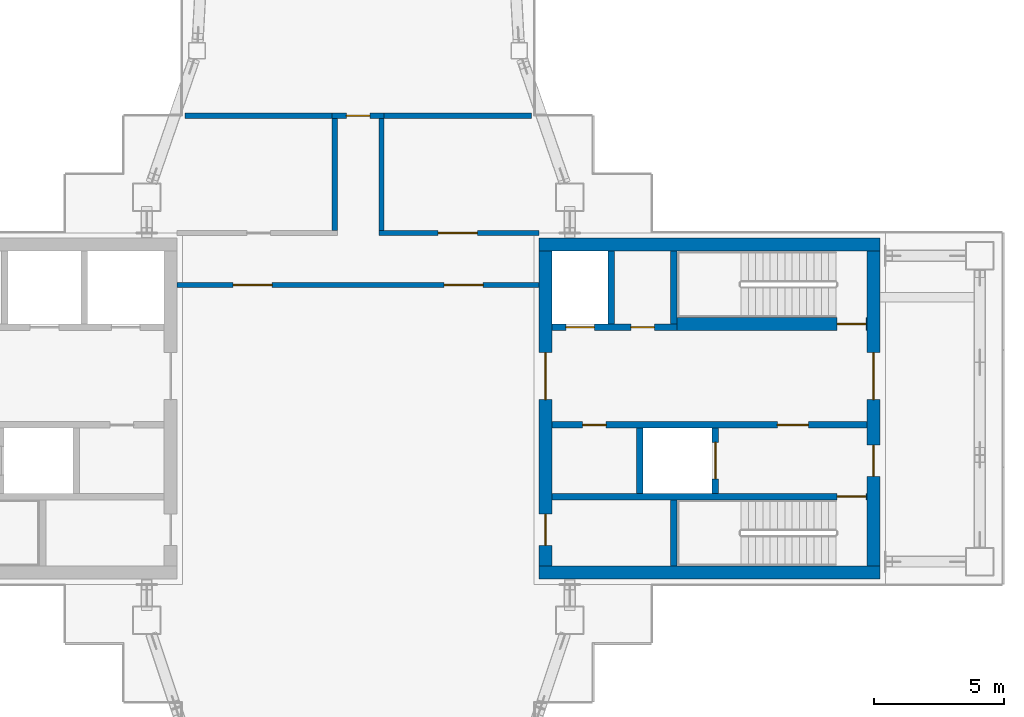
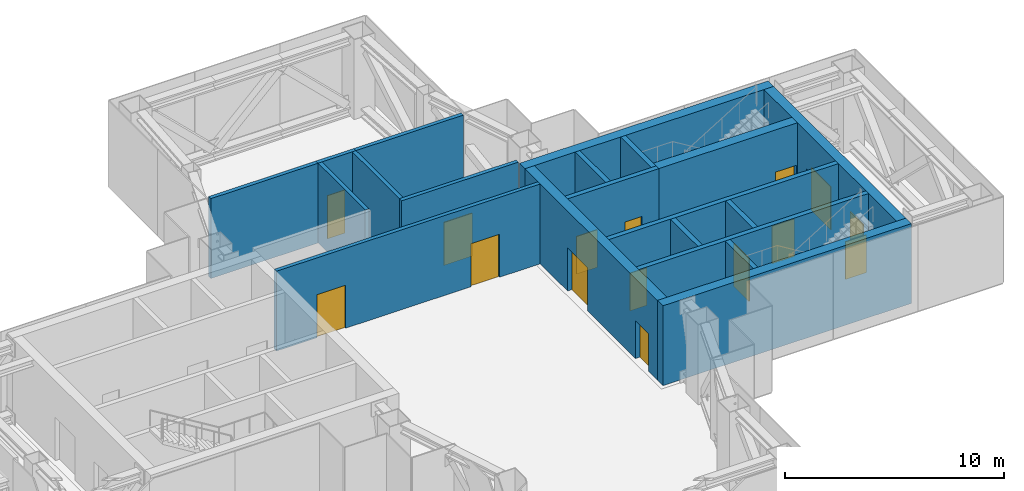
# One storey, part 12 of 21: 20 walls, 15 doors, 15 openings.
"""IFC4 building model written with IfcOpenShell, lengths in metres."""

from ifc_helpers import new_model, si_unit, direction, frame, frame_2d, origin, place, context, subcontext, project, spatial, rectangle, extrude, material, layer, layer_set, type_object, element, fill, save


model = new_model("IFC4")

# Units and contexts
model_context = context("Model", 3, precision=1e-05, world=origin(), true_north=direction((0.0, 1.0)))
body_context = subcontext(model_context, "Body", "Model", "MODEL_VIEW")
ifc_project = project(units=[si_unit("LENGTHUNIT", "METRE"), si_unit("AREAUNIT", "SQUARE_METRE"), si_unit("VOLUMEUNIT", "CUBIC_METRE"), si_unit("PLANEANGLEUNIT", "RADIAN"), si_unit("MASSUNIT", "GRAM", prefix="KILO")], contexts=[model_context])

# Site, building, storey
site_placement = place(None, origin())
site = spatial("IfcSite", under=ifc_project, at=site_placement, CompositionType="ELEMENT")
building_placement = place(site_placement, origin())
building = spatial("IfcBuilding", under=site, at=building_placement, Name="Shamsa Quay Exchange Towers", CompositionType="ELEMENT")
storey_placement = place(building_placement, frame((0.0, 0.0, 177.89990234375)))
storey = spatial("IfcBuildingStorey", under=building, at=storey_placement, Name="L42", CompositionType="ELEMENT", Elevation=177.89990234375)

# Walls
ifc_material_1 = material(Name="Concrete C60/75", Category="concrete")
ifc_layer_1 = layer(ifc_material_1, 0.5)
ifc_layer_set_1 = layer_set([ifc_layer_1], Name="CORE WALL 500 C60/75")
wall_type_1 = type_object("IfcWallType", Name="CORE WALL 500 C60/75", PredefinedType="SHEAR", material=ifc_layer_set_1)
for number, where, z_axis, x_axis, name in (
    (1, (53.800048828125, -6.300048828125, 0.0), (0.0, 0.0, 1.0), (-1.0, 0.0, 0.0), "Core wall T2B-L42-PS"),
    (2, (53.800048828125, 6.300048828125, 0.0), (0.0, 0.0, 1.0), (-1.0, 0.0, 0.0), "Core wall T2B-L42-PN"),
):
    element("IfcWall", number, at=place(storey_placement, frame(where, z_axis=z_axis, x_axis=x_axis)), inside=storey, type_object=wall_type_1, Name=name, PredefinedType="SHEAR", context=body_context, shape_type="SweptSolid", body=[
        extrude(rectangle(XDim=13.10009765625, YDim=0.5, at=frame_2d((6.550048828125, 0.0))), origin(), (0.0, 0.0, 1.0), 4.4501953125),
    ])

# Wall, openings, doors
wall_1_placement = place(storey_placement, frame((53.550048828125, -6.050048828125, 0.0), z_axis=(0.0, 0.0, 1.0), x_axis=(0.0, 1.0, 0.0)))
wall_1 = element("IfcWall", 3, at=wall_1_placement, inside=storey, type_object=wall_type_1, Name="Core wall T2B-L42-PF", PredefinedType="SHEAR", context=body_context, shape_type="SweptSolid", body=[
    extrude(rectangle(XDim=12.10009765625, YDim=0.5, at=frame_2d((6.050048828125, 0.0))), origin(), (0.0, 0.0, 1.0), 4.4501953125),
])
opening_1_placement = place(wall_1_placement, frame((3.449951171875, 0.0, 0.0)))
opening_1 = element("IfcOpeningElement", 4, at=opening_1_placement, cuts=wall_1, Name="Opening T2B-L42-FD01", PredefinedType="OPENING", context=body_context, shape_type="SweptSolid", body=[
    extrude(rectangle(XDim=1.199951171875, YDim=2.10009765625, at=frame_2d((0.60009765625, 1.050048828125))), frame((0.0, 0.260009765625, 0.0), z_axis=(0.0, -1.0, 0.0), x_axis=(1.0, 0.0, 0.0)), (0.0, 0.0, 1.0), 0.52001953125),
])
opening_2_placement = place(wall_1_placement, frame((6.39990234375, 0.0, 0.0)))
opening_2 = element("IfcOpeningElement", 5, at=opening_2_placement, cuts=wall_1, Name="Opening T2B-L42-LBD02", PredefinedType="OPENING", context=body_context, shape_type="SweptSolid", body=[
    extrude(rectangle(XDim=1.800048828125, YDim=2.39990234375, at=frame_2d((0.89990234375, 1.199951171875))), frame((0.0, 0.260009765625, 0.0), z_axis=(0.0, -1.0, 0.0), x_axis=(1.0, 0.0, 0.0)), (0.0, 0.0, 1.0), 0.52001953125),
])
ifc_material_2 = material(Name="Steel, fire rated", Category="steel")
door_type_1 = type_object("IfcDoorType", Name="FIRE SERVICE LOBBY DOOR 1200", OperationType="SINGLE_SWING_LEFT", PredefinedType="DOOR", material=ifc_material_2)
door_1_placement = place(opening_1_placement, origin())
door_1 = element("IfcDoor", 6, at=door_1_placement, inside=storey, type_object=door_type_1, Name="T2B-L42-FD01", OperationType="SINGLE_SWING_LEFT", OverallHeight=2.10009765625, OverallWidth=1.199951171875, PredefinedType="DOOR", context=body_context, shape_type="SweptSolid", body=[
    extrude(rectangle(XDim=1.199951171875, YDim=2.10009765625, at=frame_2d((0.60009765625, 1.050048828125))), frame((0.0, 0.02490234375, 0.0), z_axis=(0.0, -1.0, 0.0), x_axis=(1.0, 0.0, 0.0)), (0.0, 0.0, 1.0), 0.050048828125),
])
fill(opening_1, door_1)
door_type_2 = type_object("IfcDoorType", Name="LIFT LOBBY DOOR PAIR 1800", OperationType="DOUBLE_DOOR_SINGLE_SWING", PredefinedType="DOOR", material=ifc_material_2)
door_2_placement = place(opening_2_placement, origin())
door_2 = element("IfcDoor", 7, at=door_2_placement, inside=storey, type_object=door_type_2, Name="T2B-L42-LBD02", OperationType="DOUBLE_DOOR_SINGLE_SWING", OverallHeight=2.39990234375, OverallWidth=1.800048828125, PredefinedType="DOOR", context=body_context, shape_type="SweptSolid", body=[
    extrude(rectangle(XDim=1.800048828125, YDim=2.39990234375, at=frame_2d((0.89990234375, 1.199951171875))), frame((0.0, 0.02490234375, 0.0), z_axis=(0.0, -1.0, 0.0), x_axis=(1.0, 0.0, 0.0)), (0.0, 0.0, 1.0), 0.050048828125),
])
fill(opening_2, door_2)

wall_2_placement = place(storey_placement, frame((40.949951171875, -6.050048828125, 0.0), z_axis=(0.0, 0.0, 1.0), x_axis=(0.0, 1.0, 0.0)))
wall_2 = element("IfcWall", 8, at=wall_2_placement, inside=storey, type_object=wall_type_1, Name="Core wall T2B-L42-PB", PredefinedType="SHEAR", context=body_context, shape_type="SweptSolid", body=[
    extrude(rectangle(XDim=12.10009765625, YDim=0.5, at=frame_2d((6.050048828125, 0.0))), origin(), (0.0, 0.0, 1.0), 4.4501953125),
])
opening_3_placement = place(wall_2_placement, frame((0.800048828125, 0.0, 0.0)))
opening_3 = element("IfcOpeningElement", 9, at=opening_3_placement, cuts=wall_2, Name="Opening T2B-L42-RD03", PredefinedType="OPENING", context=body_context, shape_type="SweptSolid", body=[
    extrude(rectangle(XDim=1.199951171875, YDim=2.10009765625, at=frame_2d((0.60009765625, 1.050048828125))), frame((0.0, 0.260009765625, 0.0), z_axis=(0.0, -1.0, 0.0), x_axis=(1.0, 0.0, 0.0)), (0.0, 0.0, 1.0), 0.52001953125),
])
opening_4_placement = place(wall_2_placement, frame((6.39990234375, 0.0, 0.0)))
opening_4 = element("IfcOpeningElement", 10, at=opening_4_placement, cuts=wall_2, Name="Opening T2B-L42-LBD04", PredefinedType="OPENING", context=body_context, shape_type="SweptSolid", body=[
    extrude(rectangle(XDim=1.800048828125, YDim=2.39990234375, at=frame_2d((0.89990234375, 1.199951171875))), frame((0.0, 0.260009765625, 0.0), z_axis=(0.0, -1.0, 0.0), x_axis=(1.0, 0.0, 0.0)), (0.0, 0.0, 1.0), 0.52001953125),
])
door_3_placement = place(opening_4_placement, origin())
door_3 = element("IfcDoor", 11, at=door_3_placement, inside=storey, type_object=door_type_2, Name="T2B-L42-LBD04", OperationType="DOUBLE_DOOR_SINGLE_SWING", OverallHeight=2.39990234375, OverallWidth=1.800048828125, PredefinedType="DOOR", context=body_context, shape_type="SweptSolid", body=[
    extrude(rectangle(XDim=1.800048828125, YDim=2.39990234375, at=frame_2d((0.89990234375, 1.199951171875))), frame((0.0, 0.02490234375, 0.0), z_axis=(0.0, -1.0, 0.0), x_axis=(1.0, 0.0, 0.0)), (0.0, 0.0, 1.0), 0.050048828125),
])
fill(opening_4, door_3)
door_type_3 = type_object("IfcDoorType", Name="RISER ACCESS DOOR 1200", OperationType="SINGLE_SWING_LEFT", PredefinedType="DOOR", material=ifc_material_2)
door_4_placement = place(opening_3_placement, origin())
door_4 = element("IfcDoor", 12, at=door_4_placement, inside=storey, type_object=door_type_3, Name="T2B-L42-RD03", OperationType="SINGLE_SWING_LEFT", OverallHeight=2.10009765625, OverallWidth=1.199951171875, PredefinedType="DOOR", context=body_context, shape_type="SweptSolid", body=[
    extrude(rectangle(XDim=1.199951171875, YDim=2.10009765625, at=frame_2d((0.60009765625, 1.050048828125))), frame((0.0, 0.02490234375, 0.0), z_axis=(0.0, -1.0, 0.0), x_axis=(1.0, 0.0, 0.0)), (0.0, 0.0, 1.0), 0.050048828125),
])
fill(opening_3, door_4)

ifc_material_3 = material(Name="Gypsum board partition on metal studs")
ifc_layer_2 = layer(ifc_material_3, 0.199951171875)
ifc_layer_set_2 = layer_set([ifc_layer_2], Name="Partition 200 mm EI 120")
wall_type_2 = type_object("IfcWallType", Name="Partition 200 mm EI 120", PredefinedType="PARTITIONING", material=ifc_layer_set_2)
wall_3_placement = place(storey_placement, frame((26.800048828125, 4.75, 0.0)))
wall_3 = element("IfcWall", 13, at=wall_3_placement, inside=storey, type_object=wall_type_2, Name="Partition T2-L42-W01", PredefinedType="PARTITIONING", context=body_context, shape_type="SweptSolid", body=[
    extrude(rectangle(XDim=13.89990234375, YDim=0.199951171875, at=frame_2d((6.949951171875, 0.0))), origin(), (0.0, 0.0, 1.0), 4.4501953125),
])
opening_5_placement = place(wall_3_placement, frame((10.25, 0.0, 0.0)))
opening_5 = element("IfcOpeningElement", 14, at=opening_5_placement, cuts=wall_3, Name="Opening T2-L42-D01", PredefinedType="OPENING", context=body_context, shape_type="SweptSolid", body=[
    extrude(rectangle(XDim=1.5, YDim=2.39990234375, at=frame_2d((0.75, 1.199951171875))), frame((0.0, 0.10986328125, 0.0), z_axis=(0.0, -1.0, 0.0), x_axis=(1.0, 0.0, 0.0)), (0.0, 0.0, 1.0), 0.219970703125),
])
opening_6_placement = place(wall_3_placement, frame((2.14990234375, 0.0, 0.0)))
opening_6 = element("IfcOpeningElement", 15, at=opening_6_placement, cuts=wall_3, Name="Opening T2-L42-D02", PredefinedType="OPENING", context=body_context, shape_type="SweptSolid", body=[
    extrude(rectangle(XDim=1.5, YDim=2.39990234375, at=frame_2d((0.75, 1.199951171875))), frame((0.0, 0.10986328125, 0.0), z_axis=(0.0, -1.0, 0.0), x_axis=(1.0, 0.0, 0.0)), (0.0, 0.0, 1.0), 0.219970703125),
])
ifc_material_4 = material(Name="Timber door leaf in a metal frame", Category="wood")
door_type_4 = type_object("IfcDoorType", Name="Door 1500x2400 FD60 pair", OperationType="NOTDEFINED", PredefinedType="DOOR", material=ifc_material_4)
door_5_placement = place(opening_5_placement, origin())
door_5 = element("IfcDoor", 16, at=door_5_placement, inside=storey, type_object=door_type_4, Name="Door T2-L42-D01", OperationType="DOUBLE_DOOR_SINGLE_SWING", OverallHeight=2.39990234375, OverallWidth=1.5, PredefinedType="DOOR", context=body_context, shape_type="SweptSolid", body=[
    extrude(rectangle(XDim=1.5, YDim=2.39990234375, at=frame_2d((0.75, 1.199951171875))), frame((0.0, 0.02490234375, 0.0), z_axis=(0.0, -1.0, 0.0), x_axis=(1.0, 0.0, 0.0)), (0.0, 0.0, 1.0), 0.050048828125),
])
fill(opening_5, door_5)
door_6_placement = place(opening_6_placement, origin())
door_6 = element("IfcDoor", 17, at=door_6_placement, inside=storey, type_object=door_type_4, Name="Door T2-L42-D02", OperationType="DOUBLE_DOOR_SINGLE_SWING", OverallHeight=2.39990234375, OverallWidth=1.5, PredefinedType="DOOR", context=body_context, shape_type="SweptSolid", body=[
    extrude(rectangle(XDim=1.5, YDim=2.39990234375, at=frame_2d((0.75, 1.199951171875))), frame((0.0, 0.02490234375, 0.0), z_axis=(0.0, -1.0, 0.0), x_axis=(1.0, 0.0, 0.0)), (0.0, 0.0, 1.0), 0.050048828125),
])
fill(opening_6, door_6)

# Wall, opening, door
wall_4_placement = place(storey_placement, frame((34.55029296875, 6.75, 0.0)))
wall_4 = element("IfcWall", 18, at=wall_4_placement, inside=storey, type_object=wall_type_2, Name="Partition T2-L42-W04", PredefinedType="PARTITIONING", context=body_context, shape_type="SweptSolid", body=[
    extrude(rectangle(XDim=6.149658203125, YDim=0.199951171875, at=frame_2d((3.07470703125, 0.0))), origin(), (0.0, 0.0, 1.0), 4.4501953125),
])
opening_7_placement = place(wall_4_placement, frame((2.27490234375, 0.0, 0.0)))
opening_7 = element("IfcOpeningElement", 19, at=opening_7_placement, cuts=wall_4, Name="Opening T2-L42-D03", PredefinedType="OPENING", context=body_context, shape_type="SweptSolid", body=[
    extrude(rectangle(XDim=1.5, YDim=2.39990234375, at=frame_2d((0.75, 1.199951171875))), frame((0.0, 0.10986328125, 0.0), z_axis=(0.0, -1.0, 0.0), x_axis=(1.0, 0.0, 0.0)), (0.0, 0.0, 1.0), 0.219970703125),
])
door_7_placement = place(opening_7_placement, origin())
door_7 = element("IfcDoor", 20, at=door_7_placement, inside=storey, type_object=door_type_4, Name="Door T2-L42-D03", OperationType="DOUBLE_DOOR_SINGLE_SWING", OverallHeight=2.39990234375, OverallWidth=1.5, PredefinedType="DOOR", context=body_context, shape_type="SweptSolid", body=[
    extrude(rectangle(XDim=1.5, YDim=2.39990234375, at=frame_2d((0.75, 1.199951171875))), frame((0.0, 0.02490234375, 0.0), z_axis=(0.0, -1.0, 0.0), x_axis=(1.0, 0.0, 0.0)), (0.0, 0.0, 1.0), 0.050048828125),
])
fill(opening_7, door_7)

# Wall
wall_5_placement = place(storey_placement, frame((34.650390625, 11.14990234375, 0.0), z_axis=(0.0, 0.0, 1.0), x_axis=(0.0, -1.0, 0.0)))
element("IfcWall", 21, at=wall_5_placement, inside=storey, type_object=wall_type_2, Name="Partition T2-L42-W05", PredefinedType="PARTITIONING", context=body_context, shape_type="SweptSolid", body=[
    extrude(rectangle(XDim=4.2998046875, YDim=0.199951171875, at=frame_2d((2.14990234375, 0.0))), origin(), (0.0, 0.0, 1.0), 4.4501953125),
])

# Wall, opening, door
wall_6_placement = place(storey_placement, frame((32.74951171875, 11.25, 0.0)))
wall_6 = element("IfcWall", 22, at=wall_6_placement, inside=storey, type_object=wall_type_2, Name="Partition T2-L42-W06", PredefinedType="PARTITIONING", context=body_context, shape_type="SweptSolid", body=[
    extrude(rectangle(XDim=2.0009765625, YDim=0.199951171875, at=frame_2d((1.00048828125, 0.0))), origin(), (0.0, 0.0, 1.0), 4.4501953125),
])
opening_8_placement = place(wall_6_placement, frame((0.55029296875, 0.0, 0.0)))
opening_8 = element("IfcOpeningElement", 23, at=opening_8_placement, cuts=wall_6, Name="Opening T2-L42-D04", PredefinedType="OPENING", context=body_context, shape_type="SweptSolid", body=[
    extrude(rectangle(XDim=0.89990234375, YDim=2.39990234375, at=frame_2d((0.449951171875, 1.199951171875))), frame((0.0, 0.10986328125, 0.0), z_axis=(0.0, -1.0, 0.0), x_axis=(1.0, 0.0, 0.0)), (0.0, 0.0, 1.0), 0.219970703125),
])
door_type_5 = type_object("IfcDoorType", Name="Door 900x2400 FD60", OperationType="NOTDEFINED", PredefinedType="DOOR", material=ifc_material_4)
door_8_placement = place(opening_8_placement, origin())
door_8 = element("IfcDoor", 24, at=door_8_placement, inside=storey, type_object=door_type_5, Name="Door T2-L42-D04", OperationType="SINGLE_SWING_RIGHT", OverallHeight=2.39990234375, OverallWidth=0.89990234375, PredefinedType="DOOR", context=body_context, shape_type="SweptSolid", body=[
    extrude(rectangle(XDim=0.89990234375, YDim=2.39990234375, at=frame_2d((0.449951171875, 1.199951171875))), frame((0.0, 0.02490234375, 0.0), z_axis=(0.0, -1.0, 0.0), x_axis=(1.0, 0.0, 0.0)), (0.0, 0.0, 1.0), 0.050048828125),
])
fill(opening_8, door_8)

# Walls
wall_7_placement = place(storey_placement, frame((40.405029296875, 11.25, 0.0), z_axis=(0.0, 0.0, 1.0), x_axis=(-1.0, 0.0, 0.0)))
element("IfcWall", 25, at=wall_7_placement, inside=storey, type_object=wall_type_2, Name="Partition T2-L42-W08", PredefinedType="PARTITIONING", context=body_context, shape_type="SweptSolid", body=[
    extrude(rectangle(XDim=5.854736328125, YDim=0.199951171875, at=frame_2d((2.92724609375, 0.0))), origin(), (0.0, 0.0, 1.0), 4.4501953125),
])
ifc_layer_3 = layer(ifc_material_3, 0.199951171875)
ifc_layer_set_3 = layer_set([ifc_layer_3], Name="Partition 200 mm EI 90")
wall_type_3 = type_object("IfcWallType", Name="Partition 200 mm EI 90", PredefinedType="PARTITIONING", material=ifc_layer_set_3)
wall_8_placement = place(storey_placement, frame((32.849609375, 6.85009765625, 0.0), z_axis=(0.0, 0.0, 1.0), x_axis=(0.0, 1.0, 0.0)))
element("IfcWall", 26, at=wall_8_placement, inside=storey, type_object=wall_type_3, Name="Partition T2-L42-W02", PredefinedType="PARTITIONING", context=body_context, shape_type="SweptSolid", body=[
    extrude(rectangle(XDim=4.2998046875, YDim=0.199951171875, at=frame_2d((2.14990234375, 0.0))), origin(), (0.0, 0.0, 1.0), 4.4501953125),
])
wall_9_placement = place(storey_placement, frame((32.94970703125, 11.25, 0.0), z_axis=(0.0, 0.0, 1.0), x_axis=(-1.0, 0.0, 0.0)))
element("IfcWall", 27, at=wall_9_placement, inside=storey, type_object=wall_type_3, Name="Partition T2-L42-W07", PredefinedType="PARTITIONING", context=body_context, shape_type="SweptSolid", body=[
    extrude(rectangle(XDim=5.854736328125, YDim=0.199951171875, at=frame_2d((2.92724609375, 0.0))), origin(), (0.0, 0.0, 1.0), 4.4501953125),
])

# Wall, opening, door
ifc_material_5 = material(Name="Concrete C50/60", Category="concrete")
ifc_layer_4 = layer(ifc_material_5, 0.25)
ifc_layer_set_4 = layer_set([ifc_layer_4], Name="SHAFT WALL 250 C50/60")
wall_type_4 = type_object("IfcWallType", Name="SHAFT WALL 250 C50/60", PredefinedType="SHEAR", material=ifc_layer_set_4)
wall_10_placement = place(storey_placement, frame((53.300048828125, -3.375, 0.0), z_axis=(0.0, 0.0, 1.0), x_axis=(-1.0, 0.0, 0.0)))
wall_10 = element("IfcWall", 28, at=wall_10_placement, inside=storey, type_object=wall_type_4, Name="Shaft wall T2B-L42-STL", PredefinedType="SHEAR", context=body_context, shape_type="SweptSolid", body=[
    extrude(rectangle(XDim=12.10009765625, YDim=0.25, at=frame_2d((6.050048828125, 0.0))), origin(), (0.0, 0.0, 1.0), 4.4501953125),
])
opening_9_placement = place(wall_10_placement, frame((0.050048828125, 0.0, 0.0)))
opening_9 = element("IfcOpeningElement", 29, at=opening_9_placement, cuts=wall_10, Name="Opening T2B-L42-SD05", PredefinedType="OPENING", context=body_context, shape_type="SweptSolid", body=[
    extrude(rectangle(XDim=1.10009765625, YDim=2.10009765625, at=frame_2d((0.550048828125, 1.050048828125))), frame((0.0, 0.135009765625, 0.0), z_axis=(0.0, -1.0, 0.0), x_axis=(1.0, 0.0, 0.0)), (0.0, 0.0, 1.0), 0.27001953125),
])
door_type_6 = type_object("IfcDoorType", Name="STAIR DOOR 1100", OperationType="SINGLE_SWING_LEFT", PredefinedType="DOOR", material=ifc_material_2)
door_9_placement = place(opening_9_placement, origin())
door_9 = element("IfcDoor", 30, at=door_9_placement, inside=storey, type_object=door_type_6, Name="T2B-L42-SD05", OperationType="SINGLE_SWING_LEFT", OverallHeight=2.10009765625, OverallWidth=1.10009765625, PredefinedType="DOOR", context=body_context, shape_type="SweptSolid", body=[
    extrude(rectangle(XDim=1.10009765625, YDim=2.10009765625, at=frame_2d((0.550048828125, 1.050048828125))), frame((0.0, 0.02490234375, 0.0), z_axis=(0.0, -1.0, 0.0), x_axis=(1.0, 0.0, 0.0)), (0.0, 0.0, 1.0), 0.050048828125),
])
fill(opening_9, door_9)

# Wall
wall_11_placement = place(storey_placement, frame((45.875, -6.050048828125, 0.0), z_axis=(0.0, 0.0, 1.0), x_axis=(0.0, 1.0, 0.0)))
element("IfcWall", 31, at=wall_11_placement, inside=storey, type_object=wall_type_4, Name="Shaft wall T2B-L42-STF", PredefinedType="SHEAR", context=body_context, shape_type="SweptSolid", body=[
    extrude(rectangle(XDim=2.550048828125, YDim=0.25, at=frame_2d((1.27490234375, 0.0))), origin(), (0.0, 0.0, 1.0), 4.4501953125),
])

# Wall, openings, doors
wall_12_placement = place(storey_placement, frame((53.300048828125, -0.625, 0.0), z_axis=(0.0, 0.0, 1.0), x_axis=(-1.0, 0.0, 0.0)))
wall_12 = element("IfcWall", 32, at=wall_12_placement, inside=storey, type_object=wall_type_4, Name="Shaft wall T2B-L42-B", PredefinedType="SHEAR", context=body_context, shape_type="SweptSolid", body=[
    extrude(rectangle(XDim=12.10009765625, YDim=0.25, at=frame_2d((6.050048828125, 0.0))), origin(), (0.0, 0.0, 1.0), 4.4501953125),
])
opening_10_placement = place(wall_12_placement, frame((2.25, 0.0, 0.0)))
opening_10 = element("IfcOpeningElement", 33, at=opening_10_placement, cuts=wall_12, Name="Opening T2B-L42-FD06", PredefinedType="OPENING", context=body_context, shape_type="SweptSolid", body=[
    extrude(rectangle(XDim=1.199951171875, YDim=2.10009765625, at=frame_2d((0.60009765625, 1.050048828125))), frame((0.0, 0.135009765625, 0.0), z_axis=(0.0, -1.0, 0.0), x_axis=(1.0, 0.0, 0.0)), (0.0, 0.0, 1.0), 0.27001953125),
])
opening_11_placement = place(wall_12_placement, frame((10.02490234375, 0.0, 0.0)))
opening_11 = element("IfcOpeningElement", 34, at=opening_11_placement, cuts=wall_12, Name="Opening T2B-L42-SV07", PredefinedType="OPENING", context=body_context, shape_type="SweptSolid", body=[
    extrude(rectangle(XDim=0.89990234375, YDim=2.10009765625, at=frame_2d((0.449951171875, 1.050048828125))), frame((0.0, 0.135009765625, 0.0), z_axis=(0.0, -1.0, 0.0), x_axis=(1.0, 0.0, 0.0)), (0.0, 0.0, 1.0), 0.27001953125),
])
door_10_placement = place(opening_10_placement, origin())
door_10 = element("IfcDoor", 35, at=door_10_placement, inside=storey, type_object=door_type_1, Name="T2B-L42-FD06", OperationType="SINGLE_SWING_LEFT", OverallHeight=2.10009765625, OverallWidth=1.199951171875, PredefinedType="DOOR", context=body_context, shape_type="SweptSolid", body=[
    extrude(rectangle(XDim=1.199951171875, YDim=2.10009765625, at=frame_2d((0.60009765625, 1.050048828125))), frame((0.0, 0.02490234375, 0.0), z_axis=(0.0, -1.0, 0.0), x_axis=(1.0, 0.0, 0.0)), (0.0, 0.0, 1.0), 0.050048828125),
])
fill(opening_10, door_10)
door_type_7 = type_object("IfcDoorType", Name="SERVICE ROOM DOOR 900", OperationType="SINGLE_SWING_LEFT", PredefinedType="DOOR", material=ifc_material_2)
door_11_placement = place(opening_11_placement, origin())
door_11 = element("IfcDoor", 36, at=door_11_placement, inside=storey, type_object=door_type_7, Name="T2B-L42-SV07", OperationType="SINGLE_SWING_RIGHT", OverallHeight=2.10009765625, OverallWidth=0.89990234375, PredefinedType="DOOR", context=body_context, shape_type="SweptSolid", body=[
    extrude(rectangle(XDim=0.89990234375, YDim=2.10009765625, at=frame_2d((0.449951171875, 1.050048828125))), frame((0.0, 0.02490234375, 0.0), z_axis=(0.0, -1.0, 0.0), x_axis=(1.0, 0.0, 0.0)), (0.0, 0.0, 1.0), 0.050048828125),
])
fill(opening_11, door_11)

# Wall, opening, door
wall_13_placement = place(storey_placement, frame((47.47509765625, -3.25, 0.0), z_axis=(0.0, 0.0, 1.0), x_axis=(0.0, 1.0, 0.0)))
wall_13 = element("IfcWall", 37, at=wall_13_placement, inside=storey, type_object=wall_type_4, Name="Shaft wall T2B-L42-FFF", PredefinedType="SHEAR", context=body_context, shape_type="SweptSolid", body=[
    extrude(rectangle(XDim=2.5, YDim=0.25, at=frame_2d((1.25, 0.0))), origin(), (0.0, 0.0, 1.0), 4.4501953125),
])
opening_12_placement = place(wall_13_placement, frame((0.550048828125, 0.0, 0.0)))
opening_12 = element("IfcOpeningElement", 38, at=opening_12_placement, cuts=wall_13, Name="Opening T2B-L42-LDG08", PredefinedType="OPENING", context=body_context, shape_type="SweptSolid", body=[
    extrude(rectangle(XDim=1.39990234375, YDim=2.39990234375, at=frame_2d((0.699951171875, 1.199951171875))), frame((0.0, 0.135009765625, 0.0), z_axis=(0.0, -1.0, 0.0), x_axis=(1.0, 0.0, 0.0)), (0.0, 0.0, 1.0), 0.27001953125),
])
door_type_8 = type_object("IfcDoorType", Name="GOODS LIFT LANDING DOOR 1400", OperationType="SLIDING_TO_LEFT", PredefinedType="DOOR", material=ifc_material_2)
door_12_placement = place(opening_12_placement, origin())
door_12 = element("IfcDoor", 39, at=door_12_placement, inside=storey, type_object=door_type_8, Name="T2B-L42-LDG08", OperationType="SLIDING_TO_LEFT", OverallHeight=2.39990234375, OverallWidth=1.39990234375, PredefinedType="DOOR", context=body_context, shape_type="SweptSolid", body=[
    extrude(rectangle(XDim=1.39990234375, YDim=2.39990234375, at=frame_2d((0.699951171875, 1.199951171875))), frame((0.0, 0.02490234375, 0.0), z_axis=(0.0, -1.0, 0.0), x_axis=(1.0, 0.0, 0.0)), (0.0, 0.0, 1.0), 0.050048828125),
])
fill(opening_12, door_12)

# Wall
wall_14_placement = place(storey_placement, frame((44.574951171875, -3.25, 0.0), z_axis=(0.0, 0.0, 1.0), x_axis=(0.0, 1.0, 0.0)))
element("IfcWall", 40, at=wall_14_placement, inside=storey, type_object=wall_type_4, Name="Shaft wall T2B-L42-FFB", PredefinedType="SHEAR", context=body_context, shape_type="SweptSolid", body=[
    extrude(rectangle(XDim=2.5, YDim=0.25, at=frame_2d((1.25, 0.0))), origin(), (0.0, 0.0, 1.0), 4.4501953125),
])

# Wall, openings, doors
wall_15_placement = place(storey_placement, frame((41.199951171875, 3.125, 0.0)))
wall_15 = element("IfcWall", 41, at=wall_15_placement, inside=storey, type_object=wall_type_4, Name="Shaft wall T2B-L42-N2", PredefinedType="SHEAR", context=body_context, shape_type="SweptSolid", body=[
    extrude(rectangle(XDim=4.800048828125, YDim=0.25, at=frame_2d((2.39990234375, 0.0))), origin(), (0.0, 0.0, 1.0), 4.4501953125),
])
opening_13_placement = place(wall_15_placement, frame((0.52490234375, 0.0, 0.0)))
opening_13 = element("IfcOpeningElement", 42, at=opening_13_placement, cuts=wall_15, Name="Opening T2B-L42-LD10", PredefinedType="OPENING", context=body_context, shape_type="SweptSolid", body=[
    extrude(rectangle(XDim=1.10009765625, YDim=2.10009765625, at=frame_2d((0.550048828125, 1.050048828125))), frame((0.0, 0.135009765625, 0.0), z_axis=(0.0, -1.0, 0.0), x_axis=(1.0, 0.0, 0.0)), (0.0, 0.0, 1.0), 0.27001953125),
])
opening_14_placement = place(wall_15_placement, frame((3.02490234375, 0.0, 0.0)))
opening_14 = element("IfcOpeningElement", 43, at=opening_14_placement, cuts=wall_15, Name="Opening T2B-L42-SV11", PredefinedType="OPENING", context=body_context, shape_type="SweptSolid", body=[
    extrude(rectangle(XDim=0.89990234375, YDim=2.10009765625, at=frame_2d((0.449951171875, 1.050048828125))), frame((0.0, 0.135009765625, 0.0), z_axis=(0.0, -1.0, 0.0), x_axis=(1.0, 0.0, 0.0)), (0.0, 0.0, 1.0), 0.27001953125),
])
door_type_9 = type_object("IfcDoorType", Name="LANDING DOOR 1100", OperationType="SLIDING_TO_LEFT", PredefinedType="DOOR", material=ifc_material_2)
door_13_placement = place(opening_13_placement, origin())
door_13 = element("IfcDoor", 44, at=door_13_placement, inside=storey, type_object=door_type_9, Name="T2B-L42-LD10", OperationType="SLIDING_TO_LEFT", OverallHeight=2.10009765625, OverallWidth=1.10009765625, PredefinedType="DOOR", context=body_context, shape_type="SweptSolid", body=[
    extrude(rectangle(XDim=1.10009765625, YDim=2.10009765625, at=frame_2d((0.550048828125, 1.050048828125))), frame((0.0, 0.02490234375, 0.0), z_axis=(0.0, -1.0, 0.0), x_axis=(1.0, 0.0, 0.0)), (0.0, 0.0, 1.0), 0.050048828125),
])
fill(opening_13, door_13)
door_14_placement = place(opening_14_placement, origin())
door_14 = element("IfcDoor", 45, at=door_14_placement, inside=storey, type_object=door_type_7, Name="T2B-L42-SV11", OperationType="SINGLE_SWING_RIGHT", OverallHeight=2.10009765625, OverallWidth=0.89990234375, PredefinedType="DOOR", context=body_context, shape_type="SweptSolid", body=[
    extrude(rectangle(XDim=0.89990234375, YDim=2.10009765625, at=frame_2d((0.449951171875, 1.050048828125))), frame((0.0, 0.02490234375, 0.0), z_axis=(0.0, -1.0, 0.0), x_axis=(1.0, 0.0, 0.0)), (0.0, 0.0, 1.0), 0.050048828125),
])
fill(opening_14, door_14)

# Walls
for number, where, z_axis, x_axis, name in (
    (46, (45.875, 3.25, 0.0), (0.0, 0.0, 1.0), (0.0, 1.0, 0.0), "Shaft wall T2B-L42-STF2"),
    (47, (43.47509765625, 3.25, 0.0), (0.0, 0.0, 1.0), (0.0, 1.0, 0.0), "Shaft wall T2B-L42-D0"),
):
    element("IfcWall", number, at=place(storey_placement, frame(where, z_axis=z_axis, x_axis=x_axis)), inside=storey, type_object=wall_type_4, Name=name, PredefinedType="SHEAR", context=body_context, shape_type="SweptSolid", body=[
        extrude(rectangle(XDim=2.800048828125, YDim=0.25, at=frame_2d((1.39990234375, 0.0))), origin(), (0.0, 0.0, 1.0), 4.4501953125),
    ])

# Wall, opening, door
ifc_layer_5 = layer(ifc_material_5, 0.5)
ifc_layer_set_5 = layer_set([ifc_layer_5], Name="SHAFT WALL 500 C50/60")
wall_type_5 = type_object("IfcWallType", Name="SHAFT WALL 500 C50/60", PredefinedType="SHEAR", material=ifc_layer_set_5)
wall_16_placement = place(storey_placement, frame((46.0, 3.25, 0.0)))
wall_16 = element("IfcWall", 48, at=wall_16_placement, inside=storey, type_object=wall_type_5, Name="Shaft wall T2B-L42-N", PredefinedType="SHEAR", context=body_context, shape_type="SweptSolid", body=[
    extrude(rectangle(XDim=7.300048828125, YDim=0.5, at=frame_2d((3.64990234375, 0.0))), origin(), (0.0, 0.0, 1.0), 4.4501953125),
])
opening_15_placement = place(wall_16_placement, frame((6.14990234375, 0.0, 0.0)))
opening_15 = element("IfcOpeningElement", 49, at=opening_15_placement, cuts=wall_16, Name="Opening T2B-L42-SD09", PredefinedType="OPENING", context=body_context, shape_type="SweptSolid", body=[
    extrude(rectangle(XDim=1.10009765625, YDim=2.10009765625, at=frame_2d((0.550048828125, 1.050048828125))), frame((0.0, 0.260009765625, 0.0), z_axis=(0.0, -1.0, 0.0), x_axis=(1.0, 0.0, 0.0)), (0.0, 0.0, 1.0), 0.52001953125),
])
door_15_placement = place(opening_15_placement, origin())
door_15 = element("IfcDoor", 50, at=door_15_placement, inside=storey, type_object=door_type_6, Name="T2B-L42-SD09", OperationType="SINGLE_SWING_RIGHT", OverallHeight=2.10009765625, OverallWidth=1.10009765625, PredefinedType="DOOR", context=body_context, shape_type="SweptSolid", body=[
    extrude(rectangle(XDim=1.10009765625, YDim=2.10009765625, at=frame_2d((0.550048828125, 1.050048828125))), frame((0.0, 0.02490234375, 0.0), z_axis=(0.0, -1.0, 0.0), x_axis=(1.0, 0.0, 0.0)), (0.0, 0.0, 1.0), 0.050048828125),
])
fill(opening_15, door_15)

save(model, "model.ifc")
